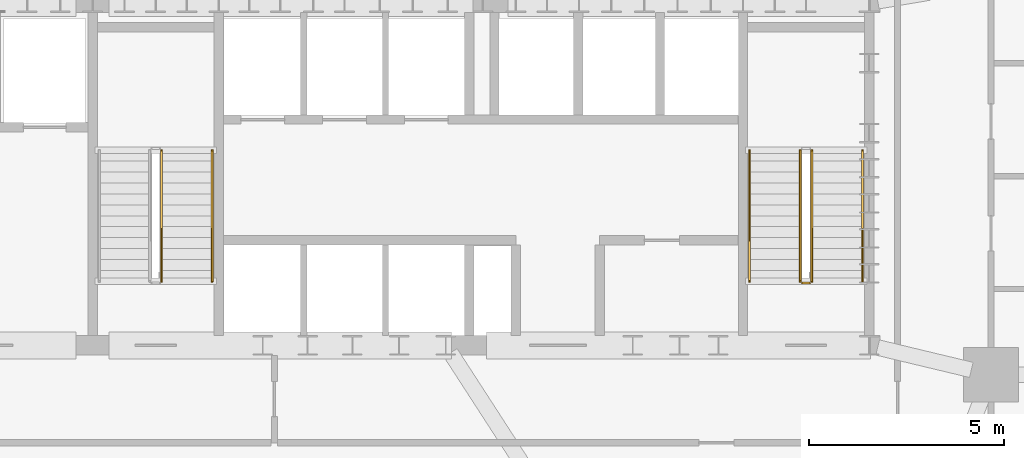
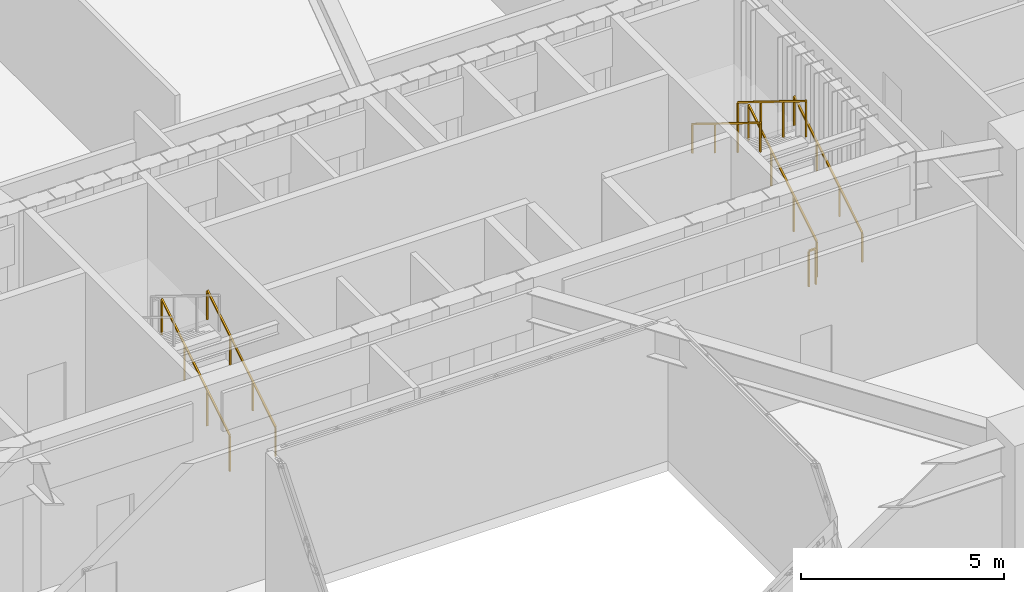
# One storey, part 22 of 25: 7 railings.
"""IFC4 building model written with IfcOpenShell, lengths in metres."""

from ifc_helpers import new_model, si_unit, direction, frame, origin, origin_2d, place, context, subcontext, project, spatial, rectangle, extrude, material, type_object, element, save


model = new_model("IFC4")

# Units and contexts
model_context = context("Model", 3, precision=1e-05, world=origin(), true_north=direction((0.0, 1.0)))
body_context = subcontext(model_context, "Body", "Model", "MODEL_VIEW")
ifc_project = project(units=[si_unit("LENGTHUNIT", "METRE"), si_unit("AREAUNIT", "SQUARE_METRE"), si_unit("VOLUMEUNIT", "CUBIC_METRE"), si_unit("PLANEANGLEUNIT", "RADIAN"), si_unit("MASSUNIT", "GRAM", prefix="KILO")], contexts=[model_context])

# Site, building, storey
site_placement = place(None, origin())
site = spatial("IfcSite", under=ifc_project, at=site_placement, CompositionType="ELEMENT")
building_placement = place(site_placement, origin())
building = spatial("IfcBuilding", under=site, at=building_placement, Name="Haldorwick Loom Tower", CompositionType="ELEMENT")
storey_placement = place(building_placement, frame((0.0, 0.0, 10.5)))
storey = spatial("IfcBuildingStorey", under=building, at=storey_placement, Name="L02", CompositionType="ELEMENT", Elevation=10.5)

# Railings
ifc_material = material(Name="Steel CSA G40.21 350W", Category="steel")
railing_type_1 = type_object("IfcRailingType", Name="ARC-RLG-GUARD112", PredefinedType="GUARDRAIL", material=ifc_material)
railing_1_placement = place(storey_placement, frame((48.60009765625, 28.39990234375, 0.173095703125)))
element("IfcRailing", 1, at=railing_1_placement, inside=storey, type_object=railing_type_1, Name="L02 ST-02 stair guard 1", PredefinedType="GUARDRAIL", context=body_context, shape_type="SweptSolid", body=[
    extrude(rectangle(XDim=0.048095703125, YDim=0.048095703125, at=origin_2d()), frame((0.0, 0.0, 1.076171875), z_axis=(0.0, 0.850623216509, 0.525775754039), x_axis=(-1.0, 0.0, 0.0)), (0.0, 0.0, 1.0), 3.9501953125),
    extrude(rectangle(XDim=0.0419921875, YDim=0.0419921875, at=origin_2d()), origin(), (0.0, 0.0, 1.0), 1.052001953125),
    extrude(rectangle(XDim=0.0419921875, YDim=0.0419921875, at=origin_2d()), frame((0.0, 1.1201171875, 0.6923828125)), (0.0, 0.0, 1.0), 1.052001953125),
    extrude(rectangle(XDim=0.0419921875, YDim=0.0419921875, at=origin_2d()), frame((0.0, 2.239990234375, 1.384521484375)), (0.0, 0.0, 1.0), 1.052001953125),
    extrude(rectangle(XDim=0.0419921875, YDim=0.0419921875, at=origin_2d()), frame((0.0, 3.360107421875, 2.076904296875)), (0.0, 0.0, 1.0), 1.052001953125),
])
railing_2_placement = place(storey_placement, frame((48.300048828125, 31.760009765625, 2.423095703125)))
element("IfcRailing", 2, at=railing_2_placement, inside=storey, type_object=railing_type_1, Name="L02 ST-02 stair guard 3", PredefinedType="GUARDRAIL", context=body_context, shape_type="SweptSolid", body=[
    extrude(rectangle(XDim=0.048095703125, YDim=0.048095703125, at=origin_2d()), frame((0.0, 0.0, 1.076171875), z_axis=(0.0, -0.850623216509, 0.525775754039), x_axis=(1.0, 0.0, 0.0)), (0.0, 0.0, 1.0), 3.9501953125),
    extrude(rectangle(XDim=0.0419921875, YDim=0.0419921875, at=origin_2d()), origin(), (0.0, 0.0, 1.0), 1.052001953125),
    extrude(rectangle(XDim=0.0419921875, YDim=0.0419921875, at=origin_2d()), frame((0.0, -1.1201171875, 0.6923828125)), (0.0, 0.0, 1.0), 1.052001953125),
    extrude(rectangle(XDim=0.0419921875, YDim=0.0419921875, at=origin_2d()), frame((0.0, -2.239990234375, 1.384521484375)), (0.0, 0.0, 1.0), 1.052001953125),
    extrude(rectangle(XDim=0.0419921875, YDim=0.0419921875, at=origin_2d()), frame((0.0, -3.360107421875, 2.076904296875)), (0.0, 0.0, 1.0), 1.052001953125),
])
railing_3_placement = place(storey_placement, frame((48.550048828125, 28.35009765625, 0.0)))
element("IfcRailing", 3, at=railing_3_placement, inside=storey, type_object=railing_type_1, Name="L02 ST-02 stair guard 4", PredefinedType="GUARDRAIL", context=body_context, shape_type="SweptSolid", body=[
    extrude(rectangle(XDim=0.048095703125, YDim=0.048095703125, at=origin_2d()), frame((0.0, 0.0, 1.076171875), z_axis=(-1.0, 0.0, 0.0), x_axis=(0.0, -1.0, 0.0)), (0.0, 0.0, 1.0), 0.199951171875),
    extrude(rectangle(XDim=0.0419921875, YDim=0.0419921875, at=origin_2d()), origin(), (0.0, 0.0, 1.0), 1.052001953125),
    extrude(rectangle(XDim=0.0419921875, YDim=0.0419921875, at=origin_2d()), frame((-0.199951171875, 0.0, 0.0)), (0.0, 0.0, 1.0), 1.052001953125),
])
railing_4_placement = place(storey_placement, frame((31.89990234375, 28.39990234375, 0.173095703125)))
element("IfcRailing", 4, at=railing_4_placement, inside=storey, type_object=railing_type_1, Name="L02 ST-03 stair guard 1", PredefinedType="GUARDRAIL", context=body_context, shape_type="SweptSolid", body=[
    extrude(rectangle(XDim=0.048095703125, YDim=0.048095703125, at=origin_2d()), frame((0.0, 0.0, 1.076171875), z_axis=(0.0, 0.850623216509, 0.525775754039), x_axis=(-1.0, 0.0, 0.0)), (0.0, 0.0, 1.0), 3.9501953125),
    extrude(rectangle(XDim=0.0419921875, YDim=0.0419921875, at=origin_2d()), origin(), (0.0, 0.0, 1.0), 1.052001953125),
    extrude(rectangle(XDim=0.0419921875, YDim=0.0419921875, at=origin_2d()), frame((0.0, 1.1201171875, 0.6923828125)), (0.0, 0.0, 1.0), 1.052001953125),
    extrude(rectangle(XDim=0.0419921875, YDim=0.0419921875, at=origin_2d()), frame((0.0, 2.239990234375, 1.384521484375)), (0.0, 0.0, 1.0), 1.052001953125),
    extrude(rectangle(XDim=0.0419921875, YDim=0.0419921875, at=origin_2d()), frame((0.0, 3.360107421875, 2.076904296875)), (0.0, 0.0, 1.0), 1.052001953125),
])
railing_type_2 = type_object("IfcRailingType", Name="ARC-RLG-HAND092", PredefinedType="HANDRAIL", material=ifc_material)
railing_5_placement = place(storey_placement, frame((49.89990234375, 28.39990234375, 0.173095703125)))
element("IfcRailing", 5, at=railing_5_placement, inside=storey, type_object=railing_type_2, Name="L02 ST-02 stair handrail 1", PredefinedType="HANDRAIL", context=body_context, shape_type="SweptSolid", body=[
    extrude(rectangle(XDim=0.048095703125, YDim=0.048095703125, at=origin_2d()), frame((0.0, 0.0, 0.8759765625), z_axis=(0.0, 0.850623216509, 0.525775754039), x_axis=(-1.0, 0.0, 0.0)), (0.0, 0.0, 1.0), 3.9501953125),
    extrude(rectangle(XDim=0.0419921875, YDim=0.0419921875, at=origin_2d()), origin(), (0.0, 0.0, 1.0), 0.851806640625),
    extrude(rectangle(XDim=0.0419921875, YDim=0.0419921875, at=origin_2d()), frame((0.0, 1.1201171875, 0.6923828125)), (0.0, 0.0, 1.0), 0.851806640625),
    extrude(rectangle(XDim=0.0419921875, YDim=0.0419921875, at=origin_2d()), frame((0.0, 2.239990234375, 1.384521484375)), (0.0, 0.0, 1.0), 0.851806640625),
    extrude(rectangle(XDim=0.0419921875, YDim=0.0419921875, at=origin_2d()), frame((0.0, 3.360107421875, 2.076904296875)), (0.0, 0.0, 1.0), 0.851806640625),
])
railing_6_placement = place(storey_placement, frame((47.0, 31.760009765625, 2.423095703125)))
element("IfcRailing", 6, at=railing_6_placement, inside=storey, type_object=railing_type_2, Name="L02 ST-02 stair handrail 2", PredefinedType="HANDRAIL", context=body_context, shape_type="SweptSolid", body=[
    extrude(rectangle(XDim=0.048095703125, YDim=0.048095703125, at=origin_2d()), frame((0.0, 0.0, 0.8759765625), z_axis=(0.0, -0.850623216509, 0.525775754039), x_axis=(1.0, 0.0, 0.0)), (0.0, 0.0, 1.0), 3.9501953125),
    extrude(rectangle(XDim=0.0419921875, YDim=0.0419921875, at=origin_2d()), origin(), (0.0, 0.0, 1.0), 0.851806640625),
    extrude(rectangle(XDim=0.0419921875, YDim=0.0419921875, at=origin_2d()), frame((0.0, -1.1201171875, 0.6923828125)), (0.0, 0.0, 1.0), 0.851806640625),
    extrude(rectangle(XDim=0.0419921875, YDim=0.0419921875, at=origin_2d()), frame((0.0, -2.239990234375, 1.384521484375)), (0.0, 0.0, 1.0), 0.851806640625),
    extrude(rectangle(XDim=0.0419921875, YDim=0.0419921875, at=origin_2d()), frame((0.0, -3.360107421875, 2.076904296875)), (0.0, 0.0, 1.0), 0.851806640625),
])
railing_7_placement = place(storey_placement, frame((33.199951171875, 28.39990234375, 0.173095703125)))
element("IfcRailing", 7, at=railing_7_placement, inside=storey, type_object=railing_type_2, Name="L02 ST-03 stair handrail 1", PredefinedType="HANDRAIL", context=body_context, shape_type="SweptSolid", body=[
    extrude(rectangle(XDim=0.048095703125, YDim=0.048095703125, at=origin_2d()), frame((0.0, 0.0, 0.8759765625), z_axis=(0.0, 0.850623216509, 0.525775754039), x_axis=(-1.0, 0.0, 0.0)), (0.0, 0.0, 1.0), 3.9501953125),
    extrude(rectangle(XDim=0.0419921875, YDim=0.0419921875, at=origin_2d()), origin(), (0.0, 0.0, 1.0), 0.851806640625),
    extrude(rectangle(XDim=0.0419921875, YDim=0.0419921875, at=origin_2d()), frame((0.0, 1.1201171875, 0.6923828125)), (0.0, 0.0, 1.0), 0.851806640625),
    extrude(rectangle(XDim=0.0419921875, YDim=0.0419921875, at=origin_2d()), frame((0.0, 2.239990234375, 1.384521484375)), (0.0, 0.0, 1.0), 0.851806640625),
    extrude(rectangle(XDim=0.0419921875, YDim=0.0419921875, at=origin_2d()), frame((0.0, 3.360107421875, 2.076904296875)), (0.0, 0.0, 1.0), 0.851806640625),
])

save(model, "model.ifc")
